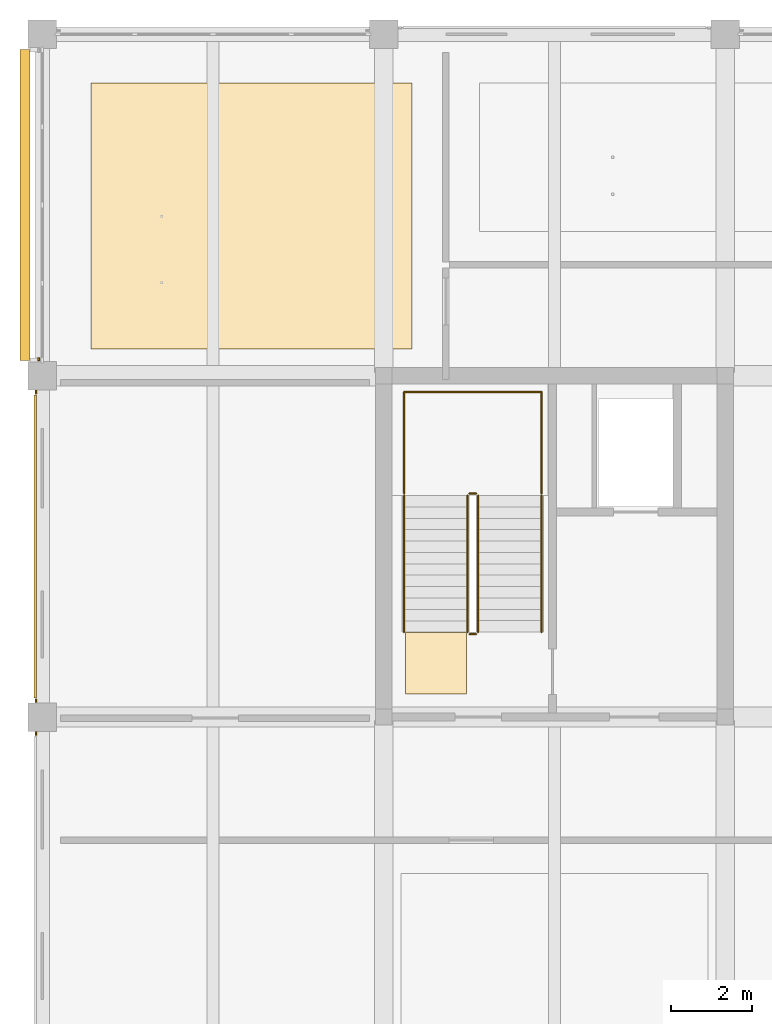
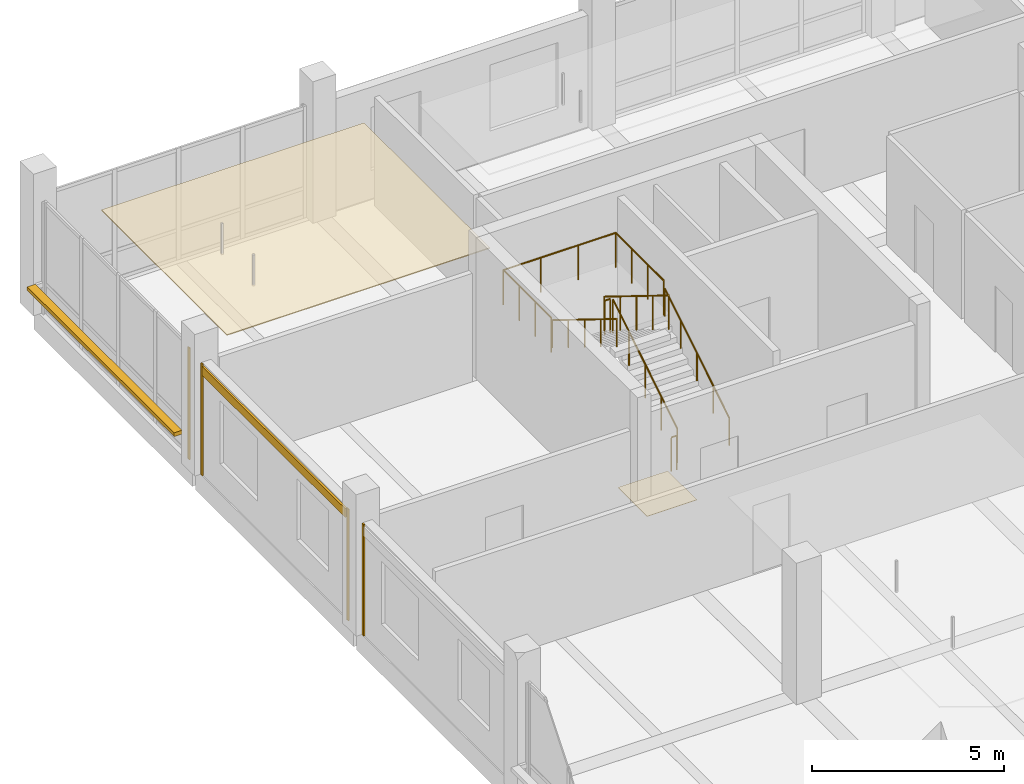
# One storey, part 27 of 35: 7 coverings, 7 railings, 1 shading device.
"""IFC4 building model written with IfcOpenShell, lengths in metres."""

from ifc_helpers import new_model, si_unit, direction, frame, origin, origin_2d, place, context, subcontext, project, spatial, polyline, rectangle, circle, outline, extrude, material, layer, layer_set, type_object, element, save


model = new_model("IFC4")

# Units and contexts
model_context = context("Model", 3, precision=1e-05, world=origin(), true_north=direction((0.0, 1.0)))
body_context = subcontext(model_context, "Body", "Model", "MODEL_VIEW")
ifc_project = project(units=[si_unit("LENGTHUNIT", "METRE"), si_unit("AREAUNIT", "SQUARE_METRE"), si_unit("VOLUMEUNIT", "CUBIC_METRE"), si_unit("PLANEANGLEUNIT", "RADIAN"), si_unit("MASSUNIT", "GRAM", prefix="KILO")], contexts=[model_context])

# Site, building, storey
site_placement = place(None, origin())
site = spatial("IfcSite", under=ifc_project, at=site_placement, CompositionType="ELEMENT")
building_placement = place(site_placement, origin())
building = spatial("IfcBuilding", under=site, at=building_placement, Name="Telukmera Botanical Conservatory", CompositionType="ELEMENT")
storey_placement = place(building_placement, frame((0.0, 0.0, 46.5)))
storey = spatial("IfcBuildingStorey", under=building, at=storey_placement, Name="L10", CompositionType="ELEMENT", Elevation=46.5)

# Coverings
ifc_material_1 = material(Name="Mineral fibre acoustic ceiling")
ifc_layer_1 = layer(ifc_material_1, 0.030029296875)
ifc_layer_set_1 = layer_set([ifc_layer_1], Name="Mineral fibre acoustic ceiling")
covering_type_1 = type_object("IfcCoveringType", Name="COV-CEIL-30", PredefinedType="CEILING", material=ifc_layer_set_1)
covering_1_placement = place(storey_placement, frame((0.0, 0.0, 3.320068359375)))
element("IfcCovering", 1, at=covering_1_placement, inside=storey, type_object=covering_type_1, Name="L10 Orchid Seed Germination Laboratory Suspended Acoustic Ceiling", PredefinedType="CEILING", context=body_context, shape_type="SweptSolid", body=[
    extrude(outline(polyline([(51.60009765625, 35.050048828125), (59.5, 35.050048828125), (59.5, 41.60009765625), (51.60009765625, 41.60009765625), (51.60009765625, 35.050048828125)])), origin(), (0.0, 0.0, 1.0), 0.030029296875),
])
ifc_material_2 = material(Name="Honed granite non-slip flooring", Category="masonry")
ifc_layer_2 = layer(ifc_material_2, 0.011962890625)
ifc_layer_set_2 = layer_set([ifc_layer_2], Name="Honed granite non-slip flooring")
covering_type_2 = type_object("IfcCoveringType", Name="COV-FLR-12", PredefinedType="FLOORING", material=ifc_layer_set_2)
covering_2_placement = place(storey_placement, origin())
element("IfcCovering", 2, at=covering_2_placement, inside=storey, type_object=covering_type_2, Name="L10 ST1 Non-Slip Stair Landing Finish", PredefinedType="FLOORING", context=body_context, shape_type="SweptSolid", body=[
    extrude(outline(polyline([(60.830078125, 26.570068359375), (60.830078125, 28.0849609375), (59.330078125, 28.0849609375), (59.330078125, 26.570068359375), (60.830078125, 26.570068359375)])), origin(), (0.0, 0.0, 1.0), 0.011962890625),
])
ifc_material_3 = material(Name="Granite-faced precast concrete C40/50", Category="masonry")
ifc_layer_3 = layer(ifc_material_3, 0.0400390625)
ifc_layer_set_3 = layer_set([ifc_layer_3], Name="Granite-faced precast concrete C40/50")
covering_type_3 = type_object("IfcCoveringType", Name="Granite Precast Column Pier Reveal Casing", PredefinedType="CLADDING", material=ifc_layer_set_3)
for number, where, z_axis, x_axis, name in (
    (3, (50.239990234375, 25.597900390625, 0.0), (0.0, 0.0, 1.0), (0.0, 1.0, 0.0), "Granite Pier Reveal V4:L10:W2 R"),
    (4, (50.239990234375, 26.402099609375, 0.0), (0.0, 0.0, 1.0), (0.0, 1.0, 0.0), "Granite Pier Reveal V4:L10:W3 L"),
    (5, (50.239990234375, 33.998046875, 0.0), (0.0, 0.0, 1.0), (0.0, 1.0, 0.0), "Granite Pier Reveal V4:L10:W3 R"),
    (6, (50.31005859375, 34.802001953125, 0.0), (0.0, 0.0, 1.0), (0.0, 1.0, 0.0), "Granite Pier Reveal V4:L10:W4 L"),
):
    element("IfcCovering", number, at=place(storey_placement, frame(where, z_axis=z_axis, x_axis=x_axis)), inside=storey, type_object=covering_type_3, Name=name, PredefinedType="CLADDING", context=body_context, shape_type="SweptSolid", body=[
        extrude(rectangle(XDim=0.080078125, YDim=0.0400390625, at=origin_2d()), origin(), (0.0, 0.0, 1.0), 3.550048828125),
    ])

# Shading device
ifc_material_4 = material(Name="Perforated terracotta-anodised aluminium 6063-T6", Category="masonry")
ifc_layer_4 = layer(ifc_material_4, 0.044921875)
ifc_layer_set_4 = layer_set([ifc_layer_4], Name="Perforated terracotta-anodised aluminium 6063-T6")
shading_device_type = type_object("IfcShadingDeviceType", Name="Perforated Terracotta Aluminium Monsoon Brise Soleil", PredefinedType="JALOUSIE", material=ifc_layer_set_4)
shading_device_placement = place(storey_placement, frame((49.969970703125, 38.60009765625, 0.889892578125), z_axis=(0.0, 0.0, 1.0), x_axis=(0.0, 1.0, 0.0)))
element("IfcShadingDevice", 7, at=shading_device_placement, inside=storey, type_object=shading_device_type, Name="Monsoon Shading BS01 V4:L10:W4", PredefinedType="JALOUSIE", context=body_context, shape_type="SweptSolid", body=[
    extrude(rectangle(XDim=7.656005859375, YDim=0.239990234375, at=origin_2d()), origin(), (0.0, 0.0, 1.0), 0.1201171875),
])

# Covering
ifc_material_5 = material(Name="Terracotta-faced precast concrete C40/50", Category="masonry")
ifc_layer_5 = layer(ifc_material_5, 0.06005859375)
ifc_layer_set_5 = layer_set([ifc_layer_5], Name="Terracotta-faced precast concrete C40/50")
covering_type_4 = type_object("IfcCoveringType", Name="Polychrome Terracotta Facade Band Cladding", PredefinedType="CLADDING", material=ifc_layer_set_5)
covering_3_placement = place(storey_placement, frame((50.22998046875, 30.199951171875, 3.22998046875), z_axis=(0.0, 0.0, 1.0), x_axis=(0.0, 1.0, 0.0)))
element("IfcCovering", 8, at=covering_3_placement, inside=storey, type_object=covering_type_4, Name="Polychrome Terracotta Band V4:L10:W3", PredefinedType="CLADDING", context=body_context, shape_type="SweptSolid", body=[
    extrude(rectangle(XDim=7.4560546875, YDim=0.06005859375, at=origin_2d()), origin(), (0.0, 0.0, 1.0), 0.280029296875),
])

# Railings
ifc_material_6 = material(Name="Steel S355", Category="steel")
railing_type_1 = type_object("IfcRailingType", Name="RL-GUARD-1100", PredefinedType="GUARDRAIL", material=ifc_material_6)
railing_1_placement = place(storey_placement, frame((61.1201171875, 28.090087890625, 0.173095703125)))
element("IfcRailing", 9, at=railing_1_placement, inside=storey, type_object=railing_type_1, Name="L10 ST1 stair guard 1", PredefinedType="GUARDRAIL", context=body_context, shape_type="SweptSolid", body=[
    extrude(circle(Radius=0.02392578125, at=origin_2d()), frame((0.0, 0.0, 1.076171875), z_axis=(0.0, 0.850606129759, 0.525803396734), x_axis=(-1.0, 0.0, 0.0)), (0.0, 0.0, 1.0), 3.949951171875),
    extrude(circle(Radius=0.02099609375, at=origin_2d()), origin(), (0.0, 0.0, 1.0), 1.052001953125),
    extrude(circle(Radius=0.02099609375, at=origin_2d()), frame((0.0, 0.83984375, 0.519287109375)), (0.0, 0.0, 1.0), 1.052001953125),
    extrude(circle(Radius=0.02099609375, at=origin_2d()), frame((0.0, 1.679931640625, 1.03857421875)), (0.0, 0.0, 1.0), 1.052001953125),
    extrude(circle(Radius=0.02099609375, at=origin_2d()), frame((0.0, 2.52001953125, 1.5576171875)), (0.0, 0.0, 1.0), 1.052001953125),
    extrude(circle(Radius=0.02099609375, at=origin_2d()), frame((0.0, 3.35986328125, 2.076904296875)), (0.0, 0.0, 1.0), 1.052001953125),
])
railing_2_placement = place(storey_placement, frame((61.070068359375, 31.5, 2.25)))
element("IfcRailing", 10, at=railing_2_placement, inside=storey, type_object=railing_type_1, Name="L10 ST1 stair guard 2", PredefinedType="GUARDRAIL", context=body_context, shape_type="SweptSolid", body=[
    extrude(circle(Radius=0.02392578125, at=origin_2d()), frame((0.0, 0.0, 1.076171875), z_axis=(-1.0, 0.0, 0.0), x_axis=(0.0, -1.0, 0.0)), (0.0, 0.0, 1.0), 0.16015625),
    extrude(circle(Radius=0.02099609375, at=origin_2d()), origin(), (0.0, 0.0, 1.0), 1.052001953125),
    extrude(circle(Radius=0.02099609375, at=origin_2d()), frame((-0.16015625, 0.0, 0.0)), (0.0, 0.0, 1.0), 1.052001953125),
])
railing_3_placement = place(storey_placement, frame((60.860107421875, 31.449951171875, 2.423095703125)))
element("IfcRailing", 11, at=railing_3_placement, inside=storey, type_object=railing_type_1, Name="L10 ST1 stair guard 3", PredefinedType="GUARDRAIL", context=body_context, shape_type="SweptSolid", body=[
    extrude(circle(Radius=0.02392578125, at=origin_2d()), frame((0.0, 0.0, 1.076171875), z_axis=(0.0, -0.850606129759, 0.525803396734), x_axis=(1.0, 0.0, 0.0)), (0.0, 0.0, 1.0), 3.949951171875),
    extrude(circle(Radius=0.02099609375, at=origin_2d()), origin(), (0.0, 0.0, 1.0), 1.052001953125),
    extrude(circle(Radius=0.02099609375, at=origin_2d()), frame((0.0, -0.83984375, 0.519287109375)), (0.0, 0.0, 1.0), 1.052001953125),
    extrude(circle(Radius=0.02099609375, at=origin_2d()), frame((0.0, -1.679931640625, 1.03857421875)), (0.0, 0.0, 1.0), 1.052001953125),
    extrude(circle(Radius=0.02099609375, at=origin_2d()), frame((0.0, -2.52001953125, 1.5576171875)), (0.0, 0.0, 1.0), 1.052001953125),
    extrude(circle(Radius=0.02099609375, at=origin_2d()), frame((0.0, -3.35986328125, 2.076904296875)), (0.0, 0.0, 1.0), 1.052001953125),
])
railing_4_placement = place(storey_placement, frame((61.070068359375, 28.0400390625, 0.0)))
element("IfcRailing", 12, at=railing_4_placement, inside=storey, type_object=railing_type_1, Name="L10 ST1 stair guard 4", PredefinedType="GUARDRAIL", context=body_context, shape_type="SweptSolid", body=[
    extrude(circle(Radius=0.02392578125, at=origin_2d()), frame((0.0, 0.0, 1.076171875), z_axis=(-1.0, 0.0, 0.0), x_axis=(0.0, -1.0, 0.0)), (0.0, 0.0, 1.0), 0.16015625),
    extrude(circle(Radius=0.02099609375, at=origin_2d()), origin(), (0.0, 0.0, 1.0), 1.052001953125),
    extrude(circle(Radius=0.02099609375, at=origin_2d()), frame((-0.16015625, 0.0, 0.0)), (0.0, 0.0, 1.0), 1.052001953125),
])
railing_5_placement = place(storey_placement, frame((62.679931640625, 31.5, 2.25)))
element("IfcRailing", 13, at=railing_5_placement, inside=storey, type_object=railing_type_1, Name="L10 ST1 half-landing perimeter guard 1", PredefinedType="GUARDRAIL", context=body_context, shape_type="SweptSolid", body=[
    extrude(circle(Radius=0.02392578125, at=origin_2d()), frame((0.0, 0.0, 1.09619140625), z_axis=(0.0, 1.0, 0.0), x_axis=(-1.0, 0.0, 0.0)), (0.0, 0.0, 1.0), 2.5),
    extrude(circle(Radius=0.02392578125, at=origin_2d()), frame((0.0, 2.5, 1.09619140625), z_axis=(-1.0, 0.0, 0.0), x_axis=(0.0, -1.0, 0.0)), (0.0, 0.0, 1.0), 3.3798828125),
    extrude(circle(Radius=0.02392578125, at=origin_2d()), frame((-3.3798828125, 2.5, 1.09619140625), z_axis=(0.0, -1.0, 0.0), x_axis=(1.0, 0.0, 0.0)), (0.0, 0.0, 1.0), 2.5),
    extrude(circle(Radius=0.02099609375, at=origin_2d()), origin(), (0.0, 0.0, 1.0), 1.072021484375),
    extrude(circle(Radius=0.02099609375, at=origin_2d()), frame((0.0, 0.833251953125, 0.0)), (0.0, 0.0, 1.0), 1.072021484375),
    extrude(circle(Radius=0.02099609375, at=origin_2d()), frame((0.0, 1.666748046875, 0.0)), (0.0, 0.0, 1.0), 1.072021484375),
    extrude(circle(Radius=0.02099609375, at=origin_2d()), frame((0.0, 2.5, 0.0)), (0.0, 0.0, 1.0), 1.072021484375),
    extrude(circle(Radius=0.02099609375, at=origin_2d()), frame((-1.126708984375, 2.5, 0.0)), (0.0, 0.0, 1.0), 1.072021484375),
    extrude(circle(Radius=0.02099609375, at=origin_2d()), frame((-2.253173828125, 2.5, 0.0)), (0.0, 0.0, 1.0), 1.072021484375),
    extrude(circle(Radius=0.02099609375, at=origin_2d()), frame((-3.3798828125, 2.5, 0.0)), (0.0, 0.0, 1.0), 1.072021484375),
    extrude(circle(Radius=0.02099609375, at=origin_2d()), frame((-3.3798828125, 1.666748046875, 0.0)), (0.0, 0.0, 1.0), 1.072021484375),
    extrude(circle(Radius=0.02099609375, at=origin_2d()), frame((-3.3798828125, 0.833251953125, 0.0)), (0.0, 0.0, 1.0), 1.072021484375),
    extrude(circle(Radius=0.02099609375, at=origin_2d()), frame((-3.3798828125, 0.0, 0.0)), (0.0, 0.0, 1.0), 1.072021484375),
])
ifc_material_7 = material(Name="Stainless steel 316", Category="steel")
railing_type_2 = type_object("IfcRailingType", Name="RL-HAND-900", PredefinedType="HANDRAIL", material=ifc_material_7)
railing_6_placement = place(storey_placement, frame((62.679931640625, 28.090087890625, 0.173095703125)))
element("IfcRailing", 14, at=railing_6_placement, inside=storey, type_object=railing_type_2, Name="L10 ST1 stair handrail 1", PredefinedType="HANDRAIL", context=body_context, shape_type="SweptSolid", body=[
    extrude(circle(Radius=0.02392578125, at=origin_2d()), frame((0.0, 0.0, 0.8759765625), z_axis=(0.0, 0.850606129759, 0.525803396734), x_axis=(-1.0, 0.0, 0.0)), (0.0, 0.0, 1.0), 3.949951171875),
    extrude(circle(Radius=0.02099609375, at=origin_2d()), origin(), (0.0, 0.0, 1.0), 0.851806640625),
    extrude(circle(Radius=0.02099609375, at=origin_2d()), frame((0.0, 0.83984375, 0.519287109375)), (0.0, 0.0, 1.0), 0.851806640625),
    extrude(circle(Radius=0.02099609375, at=origin_2d()), frame((0.0, 1.679931640625, 1.03857421875)), (0.0, 0.0, 1.0), 0.851806640625),
    extrude(circle(Radius=0.02099609375, at=origin_2d()), frame((0.0, 2.52001953125, 1.5576171875)), (0.0, 0.0, 1.0), 0.851806640625),
    extrude(circle(Radius=0.02099609375, at=origin_2d()), frame((0.0, 3.35986328125, 2.076904296875)), (0.0, 0.0, 1.0), 0.851806640625),
])
railing_7_placement = place(storey_placement, frame((59.300048828125, 31.449951171875, 2.423095703125)))
element("IfcRailing", 15, at=railing_7_placement, inside=storey, type_object=railing_type_2, Name="L10 ST1 stair handrail 2", PredefinedType="HANDRAIL", context=body_context, shape_type="SweptSolid", body=[
    extrude(circle(Radius=0.02392578125, at=origin_2d()), frame((0.0, 0.0, 0.8759765625), z_axis=(0.0, -0.850606129759, 0.525803396734), x_axis=(1.0, 0.0, 0.0)), (0.0, 0.0, 1.0), 3.949951171875),
    extrude(circle(Radius=0.02099609375, at=origin_2d()), origin(), (0.0, 0.0, 1.0), 0.851806640625),
    extrude(circle(Radius=0.02099609375, at=origin_2d()), frame((0.0, -0.83984375, 0.519287109375)), (0.0, 0.0, 1.0), 0.851806640625),
    extrude(circle(Radius=0.02099609375, at=origin_2d()), frame((0.0, -1.679931640625, 1.03857421875)), (0.0, 0.0, 1.0), 0.851806640625),
    extrude(circle(Radius=0.02099609375, at=origin_2d()), frame((0.0, -2.52001953125, 1.5576171875)), (0.0, 0.0, 1.0), 0.851806640625),
    extrude(circle(Radius=0.02099609375, at=origin_2d()), frame((0.0, -3.35986328125, 2.076904296875)), (0.0, 0.0, 1.0), 0.851806640625),
])

save(model, "model.ifc")
